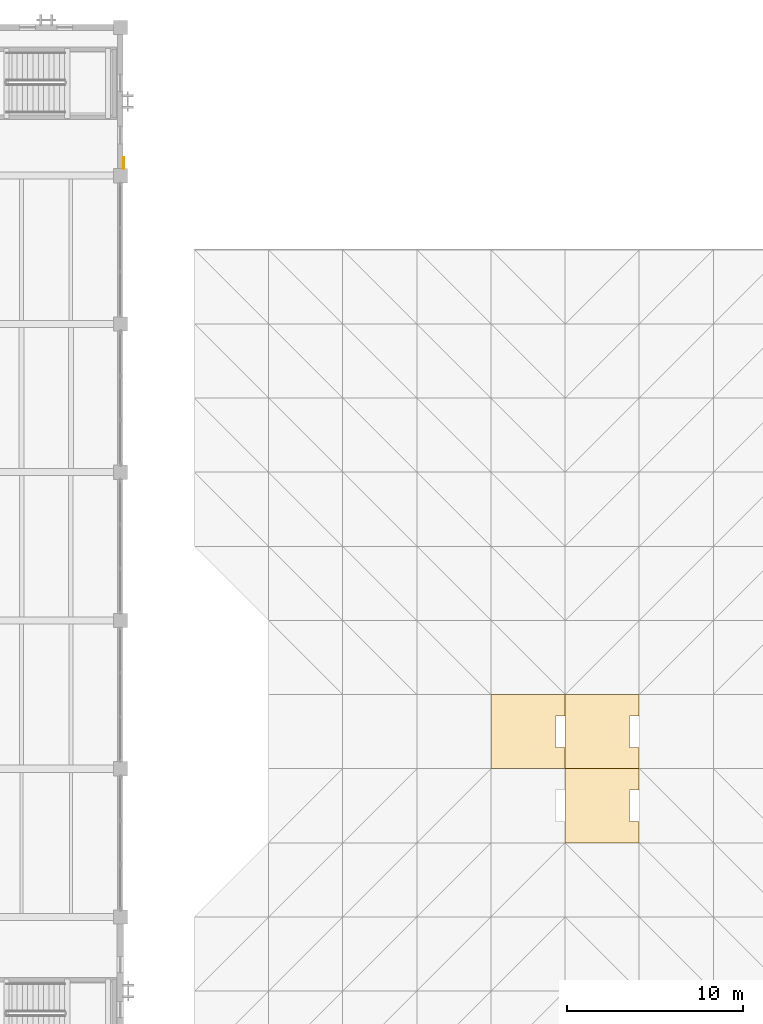
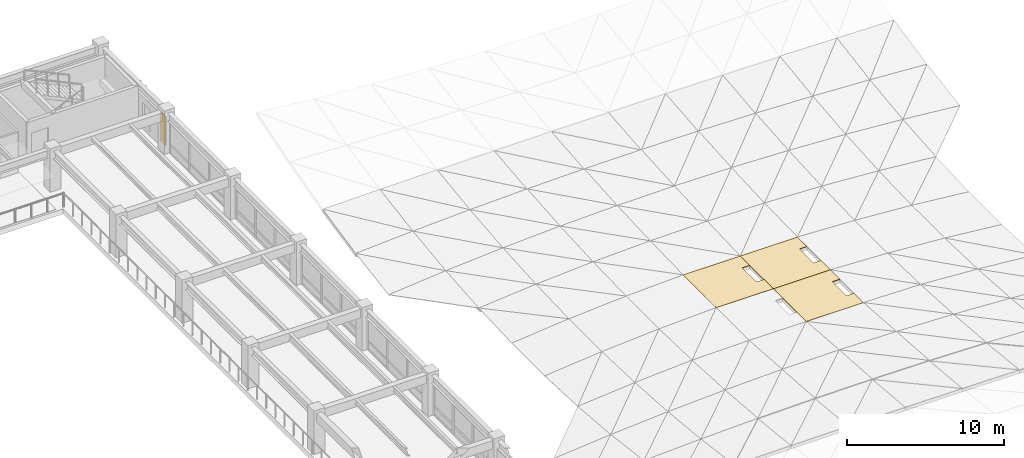
# One storey, part 109 of 123: 4 coverings.
"""IFC4 building model written with IfcOpenShell, lengths in metres."""

import ifcopenshell
import ifcopenshell.guid

model = None  # the IFC model being written
_history = None  # IfcOwnerHistory: only IFC2X3 demands one
_inside = {}  # id of a spatial element -> (the spatial element, [elements in it])
_under = {}  # id of a project, library or spatial element -> (it, [spatial elements below it])
_declared = {}  # id of a project -> (the project, [libraries it declares])
_typed = {}  # id of a type object -> (the type object, [elements of that type])
_made_of = {}  # id of a material, layer set ... -> (it, [elements and type objects made of it])


def new_model(schema):
    """Start an empty IFC model of exactly this schema.

    Asked for "IFC4X3", IfcOpenShell would pick the latest addendum, in which some entities
    have other attributes; the version numbers below select the first issue.
    IFC2X3 requires an IfcOwnerHistory on every rooted entity: one is made here for all.
    """
    global model, _history
    if schema == "IFC4X3":
        model = ifcopenshell.file(schema_version=(4, 3, 0, 0))
    else:
        model = ifcopenshell.file(schema=schema)
    _inside.clear()
    _under.clear()
    _declared.clear()
    _typed.clear()
    _made_of.clear()
    _history = None
    if model.schema == "IFC2X3":
        org = make("IfcOrganization", Name="unknown")
        user = make(
            "IfcPersonAndOrganization",
            ThePerson=make("IfcPerson", FamilyName="unknown"),
            TheOrganization=org,
        )
        app = make(
            "IfcApplication",
            ApplicationDeveloper=org,
            Version="unknown",
            ApplicationFullName="unknown",
            ApplicationIdentifier="unknown",
        )
        _history = make(
            "IfcOwnerHistory",
            OwningUser=user,
            OwningApplication=app,
            ChangeAction="ADDED",
            CreationDate=0,
        )
    return model


def make(cls, **values):
    """One entity of the class cls with the attributes given. An attribute that is None is left unset."""
    return model.create_entity(
        cls, **{name: value for name, value in values.items() if value is not None}
    )


def rooted(cls, **values):
    """An entity with a GlobalId (a new one), such as an element, a storey or a relation."""
    return make(cls, GlobalId=ifcopenshell.guid.new(), OwnerHistory=_history, **values)


def si_unit(unit_type, name, prefix=None):
    """IfcSIUnit, for example si_unit("LENGTHUNIT", "METRE", prefix="MILLI")."""
    return make("IfcSIUnit", UnitType=unit_type, Prefix=prefix, Name=name)


def assignment(units):
    """IfcUnitAssignment: the units of a project."""
    return None if units is None else make("IfcUnitAssignment", Units=units)


def point(xyz):
    """IfcCartesianPoint."""
    return None if xyz is None else make("IfcCartesianPoint", Coordinates=xyz)


def direction(xyz):
    """IfcDirection."""
    return None if xyz is None else make("IfcDirection", DirectionRatios=xyz)


def frame(location, z_axis=None, x_axis=None):
    """IfcAxis2Placement3D, a coordinate frame: its origin and axes. An axis left out is left unset."""
    return make(
        "IfcAxis2Placement3D",
        Location=point(location),
        Axis=direction(z_axis),
        RefDirection=direction(x_axis),
    )


def origin():
    """The frame at (0, 0, 0) with its axes left unset."""
    return frame((0.0, 0.0, 0.0))


def place(relative_to, where):
    """IfcLocalPlacement: puts the frame where relative to a parent placement (None: the world)."""
    return make(
        "IfcLocalPlacement", PlacementRelTo=relative_to, RelativePlacement=where
    )


def context(
    kind, dimensions, precision=None, world=None, true_north=None, identifier=None
):
    """IfcGeometricRepresentationContext, for example the 3D "Model" context."""
    return make(
        "IfcGeometricRepresentationContext",
        ContextIdentifier=identifier,
        ContextType=kind,
        CoordinateSpaceDimension=dimensions,
        Precision=precision,
        WorldCoordinateSystem=world,
        TrueNorth=true_north,
    )


def subcontext(parent, identifier, kind, view, scale=None):
    """IfcGeometricRepresentationSubContext, for example "Body" below "Model"."""
    return make(
        "IfcGeometricRepresentationSubContext",
        ContextIdentifier=identifier,
        ContextType=kind,
        ParentContext=parent,
        TargetScale=scale,
        TargetView=view,
    )


def project(units=None, contexts=None):
    """IfcProject with its units and contexts."""
    return rooted(
        "IfcProject",
        Name="project",
        RepresentationContexts=contexts,
        UnitsInContext=assignment(units),
    )


def spatial(cls, under=None, at=None, **own):
    """A site, building, storey or space (cls), placed at a placement, below another one or the project."""
    s = rooted(cls, ObjectPlacement=at, **own)
    if under is not None:
        _under.setdefault(under.id(), (under, []))[1].append(s)
    return s


def polyline(points):
    """IfcPolyline through the points."""
    return make("IfcPolyline", Points=[point(p) for p in points])


def outline(outer, holes=None, kind="AREA"):
    """IfcArbitraryClosedProfileDef: a profile drawn as a closed curve; with holes, ...WithVoids."""
    if holes is None:
        return make("IfcArbitraryClosedProfileDef", ProfileType=kind, OuterCurve=outer)
    return make(
        "IfcArbitraryProfileDefWithVoids",
        ProfileType=kind,
        OuterCurve=outer,
        InnerCurves=holes,
    )


def extrude(swept, where, along, depth):
    """IfcExtrudedAreaSolid: the profile swept, set in the frame where, extruded along a direction by depth."""
    return make(
        "IfcExtrudedAreaSolid",
        SweptArea=swept,
        Position=where,
        ExtrudedDirection=direction(along),
        Depth=depth,
    )


def shape(context_of_items, identifier, shape_type, items):
    """IfcShapeRepresentation: the items that make up one representation, for example the "Body"."""
    return make(
        "IfcShapeRepresentation",
        ContextOfItems=context_of_items,
        RepresentationIdentifier=identifier,
        RepresentationType=shape_type,
        Items=items,
    )


def material(Name=None, Category=None):
    """IfcMaterial."""
    return make("IfcMaterial", Name=Name, Category=Category)


def layer(
    of_material, thickness, ventilated=None, Name=None, Category=None, Priority=None
):
    """IfcMaterialLayer: one layer of a wall or slab, of a material (None: an air gap)."""
    return make(
        "IfcMaterialLayer",
        Material=of_material,
        LayerThickness=thickness,
        IsVentilated=ventilated,
        Name=Name,
        Category=Category,
        Priority=Priority,
    )


def layer_set(layers, Name=None):
    """IfcMaterialLayerSet."""
    return make("IfcMaterialLayerSet", MaterialLayers=layers, LayerSetName=Name)


def made_of(thing, what):
    """Note that an element or type object is made of a material, layer set ...; save() writes the relation."""
    if what is not None:
        _made_of.setdefault(what.id(), (what, []))[1].append(thing)
    return thing


def type_object(cls, material=None, **own):
    """A type object (cls), such as IfcWallType, which elements share."""
    return made_of(rooted(cls, **own), material)


def element(
    cls,
    number,
    at=None,
    inside=None,
    cuts=None,
    type_object=None,
    material=None,
    context=None,
    identifier="Body",
    shape_type=None,
    held_by="IfcProductDefinitionShape",
    body=None,
    shapes=None,
    **own,
):
    """One element of the class cls, such as IfcWall. Its Tag is "e" and its number.

    at: its placement. inside: the storey or other place that contains it. cuts: it is an
    opening in that element (IfcRelVoidsElement). A single representation is given by context,
    identifier, shape_type and body (its items); several are given by shapes. held_by: the class
    of the entity that holds the representations. save() writes the other relations.
    """
    e = rooted(cls, Tag="e%d" % number, ObjectPlacement=at, **own)
    if body is not None:
        shapes = [shape(context, identifier, shape_type, body)]
    if shapes is not None:
        e.Representation = make(held_by, Representations=shapes)
    if inside is not None:
        _inside.setdefault(inside.id(), (inside, []))[1].append(e)
    if cuts is not None:
        rooted(
            "IfcRelVoidsElement", RelatingBuildingElement=cuts, RelatedOpeningElement=e
        )
    if type_object is not None:
        _typed.setdefault(type_object.id(), (type_object, []))[1].append(e)
    return made_of(e, material)


def aggregate(whole, parts):
    """IfcRelAggregates: a whole, such as a stair, and the parts it consists of."""
    return rooted("IfcRelAggregates", RelatingObject=whole, RelatedObjects=parts)


def save(model, path):
    """Write the relations noted so far, then the file.

    IfcRelAggregates (storeys below a building ...), IfcRelContainedInSpatialStructure (elements
    in a storey), IfcRelDefinesByType, IfcRelAssociatesMaterial and IfcRelDeclares: one each for
    every whole, place, type object, material and project.
    """
    for whole, parts in _under.values():
        aggregate(whole, parts)
    for where, things in _inside.values():
        rooted(
            "IfcRelContainedInSpatialStructure",
            RelatedElements=things,
            RelatingStructure=where,
        )
    for kind, things in _typed.values():
        rooted("IfcRelDefinesByType", RelatedObjects=things, RelatingType=kind)
    for what, things in _made_of.values():
        rooted("IfcRelAssociatesMaterial", RelatedObjects=things, RelatingMaterial=what)
    for by, libraries in _declared.values():
        rooted("IfcRelDeclares", RelatingContext=by, RelatedDefinitions=libraries)
    model.write(path)


model = new_model("IFC4")

# Units and contexts
model_context = context("Model", 3, precision=1e-05, world=origin(), true_north=direction((0.0, 1.0)))
body_context = subcontext(model_context, "Body", "Model", "MODEL_VIEW")
ifc_project = project(units=[si_unit("LENGTHUNIT", "METRE"), si_unit("AREAUNIT", "SQUARE_METRE"), si_unit("VOLUMEUNIT", "CUBIC_METRE"), si_unit("PLANEANGLEUNIT", "RADIAN"), si_unit("MASSUNIT", "GRAM", prefix="KILO")], contexts=[model_context])

# Site, building, storey
site_placement = place(None, origin())
site = spatial("IfcSite", under=ifc_project, at=site_placement, CompositionType="ELEMENT")
building_placement = place(site_placement, origin())
building = spatial("IfcBuilding", under=site, at=building_placement, Name="Cumbredor Promenade Congress Hotel", CompositionType="ELEMENT")
storey_placement = place(building_placement, frame((0.0, 0.0, 11.760009765625)))
storey = spatial("IfcBuildingStorey", under=building, at=storey_placement, Name="L03", CompositionType="ELEMENT", Elevation=11.760009765625)

# Coverings
ifc_material_1 = material(Name="Precast concrete C40/50", Category="concrete")
ifc_layer_1 = layer(ifc_material_1, 0.044921875, Name="Precast concrete C40/50", Category="concrete")
ifc_layer_set_1 = layer_set([ifc_layer_1], Name="Precast concrete C40/50")
covering_type_1 = type_object("IfcCoveringType", Name="Board-Formed Architectural Cladding Panel 45mm", PredefinedType="CLADDING", material=ifc_layer_set_1)
covering_1_placement = place(storey_placement, origin())
element("IfcCovering", 1, at=covering_1_placement, inside=storey, type_object=covering_type_1, Name="L03 Facade Stone Cladding Pier 140", PredefinedType="CLADDING", context=body_context, shape_type="SweptSolid", body=[
    extrude(outline(polyline([(67.362548828125, 59.200927734375), (67.362548828125, 59.85107421875), (67.407470703125, 59.85107421875), (67.407470703125, 59.200927734375), (67.362548828125, 59.200927734375)])), origin(), (0.0, 0.0, 1.0), 2.25),
])
ifc_material_2 = material(Name="Standing-seam zinc-aluminium roofing", Category="aluminium")
ifc_layer_2 = layer(ifc_material_2, 0.044921875, Name="Standing-seam zinc-aluminium roofing", Category="aluminium")
ifc_layer_set_2 = layer_set([ifc_layer_2], Name="Standing-seam zinc-aluminium roofing")
covering_type_2 = type_object("IfcCoveringType", Name="Standing Seam Patinated Bronze-Zinc Flashing 45mm", PredefinedType="ROOFING", material=ifc_layer_set_2)
covering_2_placement = place(storey_placement, frame((0.0, 0.0, 0.6923828125)))
element("IfcCovering", 2, at=covering_2_placement, inside=storey, type_object=covering_type_2, Name="Thermal Spa and Hydrotherapy Pavilion Saddle Standing Seam Flashing 5.7", PredefinedType="ROOFING", context=body_context, shape_type="SweptSolid", body=[
    extrude(outline(polyline([(88.199951171875, 25.199951171875), (92.39990234375, 25.199951171875), (92.39990234375, 26.39990234375), (91.85009765625, 26.39990234375), (91.85009765625, 28.199951171875), (92.39990234375, 28.199951171875), (92.39990234375, 29.39990234375), (88.199951171875, 29.39990234375), (88.199951171875, 25.199951171875)])), origin(), (0.0, 0.0, 1.0), 0.045166015625),
])
covering_3_placement = place(storey_placement, frame((0.0, 0.0, 0.6923828125)))
element("IfcCovering", 3, at=covering_3_placement, inside=storey, type_object=covering_type_2, Name="Thermal Spa and Hydrotherapy Pavilion Saddle Standing Seam Flashing 6.6", PredefinedType="ROOFING", context=body_context, shape_type="SweptSolid", body=[
    extrude(outline(polyline([(92.39990234375, 21.0), (96.60009765625, 21.0), (96.60009765625, 22.199951171875), (96.050048828125, 22.199951171875), (96.050048828125, 24.0), (96.60009765625, 24.0), (96.60009765625, 25.199951171875), (92.39990234375, 25.199951171875), (92.39990234375, 21.0)])), origin(), (0.0, 0.0, 1.0), 0.045166015625),
])
covering_4_placement = place(storey_placement, frame((0.0, 0.0, 0.6923828125)))
element("IfcCovering", 4, at=covering_4_placement, inside=storey, type_object=covering_type_2, Name="Thermal Spa and Hydrotherapy Pavilion Saddle Standing Seam Flashing 6.7", PredefinedType="ROOFING", context=body_context, shape_type="SweptSolid", body=[
    extrude(outline(polyline([(92.39990234375, 25.199951171875), (96.60009765625, 25.199951171875), (96.60009765625, 26.39990234375), (96.050048828125, 26.39990234375), (96.050048828125, 28.199951171875), (96.60009765625, 28.199951171875), (96.60009765625, 29.39990234375), (92.39990234375, 29.39990234375), (92.39990234375, 25.199951171875)])), origin(), (0.0, 0.0, 1.0), 0.045166015625),
])

save(model, "model.ifc")
